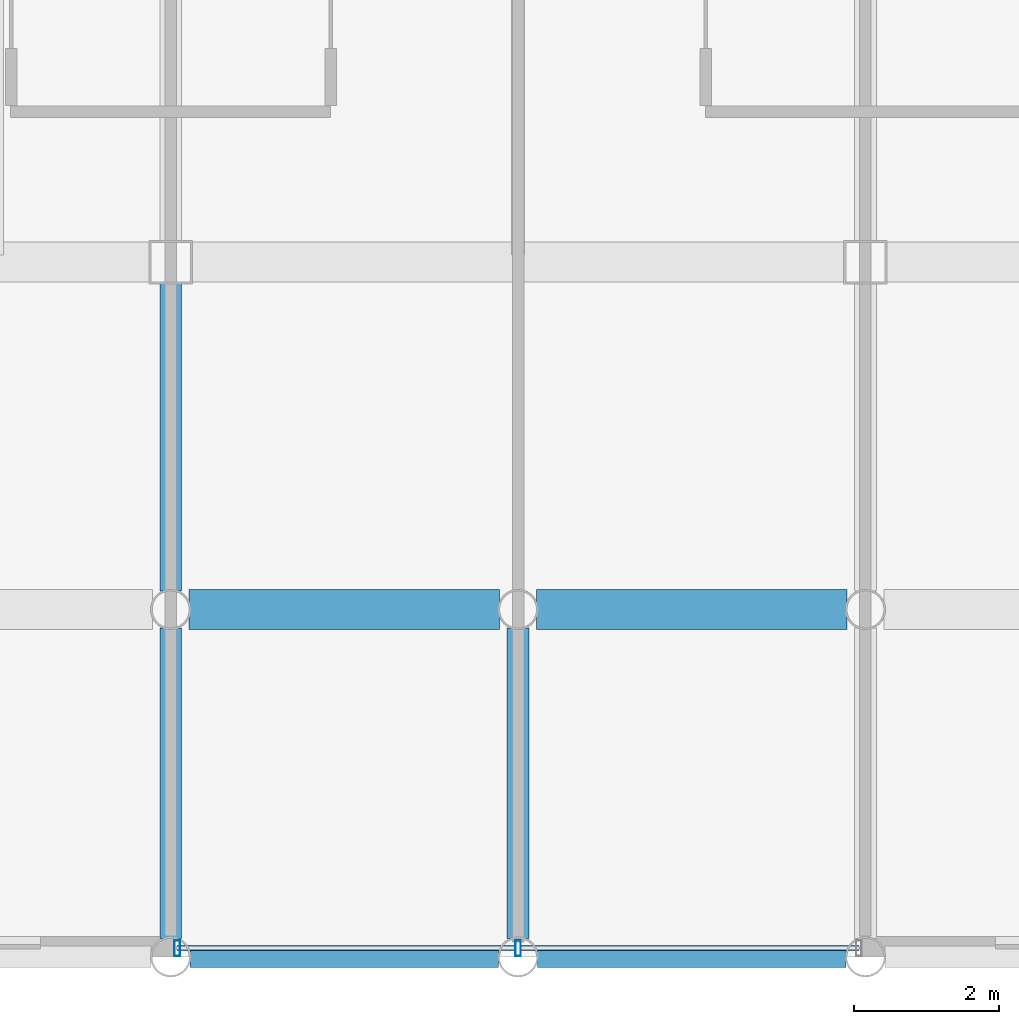
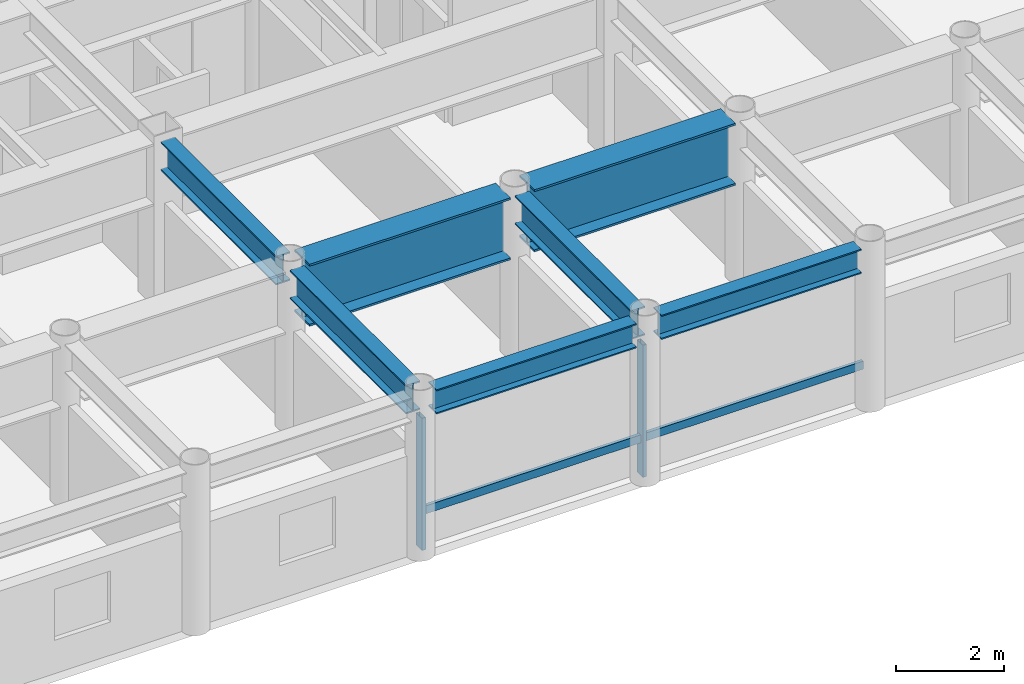
# One storey, part 4 of 22: 7 beams, 4 members, 1 element without a shape of its own.
"""IFC4 building model written with IfcOpenShell, lengths in metres."""

from ifc_helpers import new_model, si_unit, direction, frame, origin, origin_2d, place, context, subcontext, project, spatial, hollow_rectangle, i_section, extrude, material, layer, layer_set, material_profile, profile_set, type_object, element, aggregate, save


model = new_model("IFC4")

# Units and contexts
model_context = context("Model", 3, precision=1e-05, world=origin(), true_north=direction((0.0, 1.0)))
body_context = subcontext(model_context, "Body", "Model", "MODEL_VIEW")
ifc_project = project(units=[si_unit("LENGTHUNIT", "METRE"), si_unit("AREAUNIT", "SQUARE_METRE"), si_unit("VOLUMEUNIT", "CUBIC_METRE"), si_unit("PLANEANGLEUNIT", "RADIAN"), si_unit("MASSUNIT", "GRAM", prefix="KILO")], contexts=[model_context])

# Site, building, storey
site_placement = place(None, origin())
site = spatial("IfcSite", under=ifc_project, at=site_placement, CompositionType="ELEMENT")
building_placement = place(site_placement, origin())
building = spatial("IfcBuilding", under=site, at=building_placement, Name="Kallvorn Hotel Tower", CompositionType="ELEMENT")
storey_placement = place(building_placement, frame((0.0, 0.0, 191.5)))
storey = spatial("IfcBuildingStorey", under=building, at=storey_placement, Name="L47", CompositionType="ELEMENT", Elevation=191.5)

# Beams
ifc_material_1 = material(Name="Structural steel S355JR", Category="steel")
ifc_material_profile_1 = material_profile(ifc_material_1, i_section(OverallWidth=0.300048828125, OverallDepth=0.550048828125, WebThickness=0.014892578125, FlangeThickness=0.029052734375, at=origin_2d()), Name="HE 550 B")
ifc_profile_set_1 = profile_set([ifc_material_profile_1], Name="Structural steel S355JR")
beam_type_1 = type_object("IfcBeamType", Name="BM_HE550B", PredefinedType="SPANDREL", material=ifc_profile_set_1)
for number, where, z_axis, x_axis, name in (
    (1, (-4.530517578125, -24.0, 3.39501953125), (1.0, 0.0, 0.0), (0.0, 1.0, 0.0), "L48 Perimeter Spandrel 155"),
    (2, (0.26953125, -24.0, 3.39501953125), (1.0, 0.0, 0.0), (0.0, 1.0, 0.0), "L48 Perimeter Spandrel 156"),
):
    element("IfcBeam", number, at=place(storey_placement, frame(where, z_axis=z_axis, x_axis=x_axis)), inside=storey, type_object=beam_type_1, Name=name, PredefinedType="SPANDREL", context=body_context, shape_type="SweptSolid", body=[
        extrude(i_section(OverallWidth=0.300048828125, OverallDepth=0.550048828125, WebThickness=0.014892578125, FlangeThickness=0.029052734375, at=origin_2d()), origin(), (0.0, 0.0, 1.0), 4.260986328125),
    ])
ifc_material_2 = material(Name="Structural steel S355JR", Category="steel")
ifc_material_profile_2 = material_profile(ifc_material_2, i_section(OverallWidth=0.300048828125, OverallDepth=0.64990234375, WebThickness=0.01611328125, FlangeThickness=0.031005859375, at=origin_2d()), Name="HE 650 B")
ifc_profile_set_2 = profile_set([ifc_material_profile_2], Name="Structural steel S355JR")
beam_type_2 = type_object("IfcBeamType", Name="BM_HE650B", PredefinedType="BEAM", material=ifc_profile_set_2)
beam_1_placement = place(storey_placement, frame((-4.800048828125, -23.74560546875, 3.344970703125), z_axis=(0.0, 1.0, 0.0), x_axis=(-1.0, 0.0, 0.0)))
element("IfcBeam", 3, at=beam_1_placement, inside=storey, type_object=beam_type_2, Name="L48 Primary Y-Girder 105", PredefinedType="BEAM", context=body_context, shape_type="SweptSolid", body=[
    extrude(i_section(OverallWidth=0.300048828125, OverallDepth=0.64990234375, WebThickness=0.01611328125, FlangeThickness=0.031005859375, at=origin_2d()), origin(), (0.0, 0.0, 1.0), 4.291015625),
])
beam_2_placement = place(storey_placement, frame((-4.800048828125, -18.945556640625, 3.344970703125), z_axis=(0.0, 1.0, 0.0), x_axis=(-1.0, 0.0, 0.0)))
element("IfcBeam", 4, at=beam_2_placement, inside=storey, type_object=beam_type_2, Name="L48 Primary Y-Girder 106", PredefinedType="BEAM", context=body_context, shape_type="SweptSolid", body=[
    extrude(i_section(OverallWidth=0.300048828125, OverallDepth=0.64990234375, WebThickness=0.01611328125, FlangeThickness=0.031005859375, at=origin_2d()), origin(), (0.0, 0.0, 1.0), 4.2705078125),
])
beam_3_placement = place(storey_placement, frame((0.0, -23.74560546875, 3.344970703125), z_axis=(0.0, 1.0, 0.0), x_axis=(-1.0, 0.0, 0.0)))
element("IfcBeam", 5, at=beam_3_placement, inside=storey, type_object=beam_type_2, Name="L48 Primary Y-Girder 110", PredefinedType="BEAM", context=body_context, shape_type="SweptSolid", body=[
    extrude(i_section(OverallWidth=0.300048828125, OverallDepth=0.64990234375, WebThickness=0.01611328125, FlangeThickness=0.031005859375, at=origin_2d()), origin(), (0.0, 0.0, 1.0), 4.291015625),
])
ifc_material_3 = material(Name="Structural steel S355JR", Category="steel")
ifc_material_profile_3 = material_profile(ifc_material_3, i_section(OverallWidth=0.550048828125, OverallDepth=1.39990234375, WebThickness=0.02490234375, FlangeThickness=0.044921875, at=origin_2d()), Name="PG 1400x550x25x45")
ifc_profile_set_3 = profile_set([ifc_material_profile_3], Name="Structural steel S355JR")
beam_type_3 = type_object("IfcBeamType", Name="BM_PG_1400", PredefinedType="BEAM", material=ifc_profile_set_3)
for number, where, z_axis, x_axis, name in (
    (6, (-4.54541015625, -19.199951171875, 2.969970703125), (1.0, 0.0, 0.0), (0.0, 1.0, 0.0), "L48 Primary X-Girder 06"),
    (7, (0.25439453125, -19.199951171875, 2.969970703125), (1.0, 0.0, 0.0), (0.0, 1.0, 0.0), "L48 Primary X-Girder 07"),
):
    element("IfcBeam", number, at=place(storey_placement, frame(where, z_axis=z_axis, x_axis=x_axis)), inside=storey, type_object=beam_type_3, Name=name, PredefinedType="BEAM", context=body_context, shape_type="SweptSolid", body=[
        extrude(i_section(OverallWidth=0.550048828125, OverallDepth=1.39990234375, WebThickness=0.02490234375, FlangeThickness=0.044921875, at=origin_2d()), origin(), (0.0, 0.0, 1.0), 4.291015625),
    ])

# Curtain wall, members
ifc_material_4 = material(Name="Thermally broken black-anodised aluminium AA 6063-T6", Category="aluminium")
ifc_layer = layer(ifc_material_4, 0.22998046875)
ifc_layer_set = layer_set([ifc_layer], Name="CW_SYS_5_HOTEL_HIGH")
curtain_wall_type = type_object("IfcCurtainWallType", Name="CW_SYS_5_HOTEL_HIGH", PredefinedType="USERDEFINED", material=ifc_layer_set)
curtain_wall_placement = place(storey_placement, origin())
curtain_wall = element("IfcCurtainWall", 8, at=curtain_wall_placement, inside=storey, type_object=curtain_wall_type, Name="L47 Dark-Glass Curtain Wall CW-L47-SC", ObjectType="UNITISED CURTAIN WALL", PredefinedType="USERDEFINED")
ifc_material_5 = material(Name="Thermally broken black-anodised aluminium AA 6063-T6", Category="aluminium")
ifc_material_profile_4 = material_profile(ifc_material_5, hollow_rectangle(XDim=0.080078125, YDim=0.219970703125, WallThickness=0.0048828125, at=origin_2d()), Name="MUL 220x80")
ifc_profile_set_4 = profile_set([ifc_material_profile_4], Name="Thermally broken black-anodised aluminium AA 6063-T6")
member_type_1 = type_object("IfcMemberType", Name="CW_MULLION_220x80", PredefinedType="MULLION", material=ifc_profile_set_4)
member_1_placement = place(storey_placement, frame((-4.7099609375, -23.8798828125, 0.02001953125), z_axis=(0.0, 0.0, 1.0), x_axis=(1.0, 0.0, 0.0)))
member_1 = element("IfcMember", 9, at=member_1_placement, type_object=member_type_1, Name="CW-L47-SC Mullion 00", PredefinedType="MULLION", context=body_context, shape_type="SweptSolid", body=[
    extrude(hollow_rectangle(XDim=0.080078125, YDim=0.219970703125, WallThickness=0.0048828125, at=origin_2d()), origin(), (0.0, 0.0, 1.0), 2.97998046875),
])
member_2_placement = place(storey_placement, frame((0.0, -23.8798828125, 0.02001953125), z_axis=(0.0, 0.0, 1.0), x_axis=(1.0, 0.0, 0.0)))
member_2 = element("IfcMember", 10, at=member_2_placement, type_object=member_type_1, Name="CW-L47-SC Mullion 01", PredefinedType="MULLION", context=body_context, shape_type="SweptSolid", body=[
    extrude(hollow_rectangle(XDim=0.080078125, YDim=0.219970703125, WallThickness=0.0048828125, at=origin_2d()), origin(), (0.0, 0.0, 1.0), 2.97998046875),
])
ifc_material_6 = material(Name="Thermally broken black-anodised aluminium AA 6063-T6", Category="aluminium")
ifc_material_profile_5 = material_profile(ifc_material_6, hollow_rectangle(XDim=0.070068359375, YDim=0.179931640625, WallThickness=0.00390625, at=origin_2d()), Name="TRN 180x70")
ifc_profile_set_5 = profile_set([ifc_material_profile_5], Name="Thermally broken black-anodised aluminium AA 6063-T6")
member_type_2 = type_object("IfcMemberType", Name="CW_TRANSOM_180x70", PredefinedType="USERDEFINED", material=ifc_profile_set_5)
member_3_placement = place(storey_placement, frame((-4.7099609375, -23.8798828125, 0.85009765625), z_axis=(1.0, 0.0, 0.0), x_axis=(0.0, 1.0, 0.0)))
member_3 = element("IfcMember", 11, at=member_3_placement, type_object=member_type_2, Name="CW-L47-SC Transom 00M", ObjectType="TRANSOM", PredefinedType="USERDEFINED", context=body_context, shape_type="SweptSolid", body=[
    extrude(hollow_rectangle(XDim=0.070068359375, YDim=0.179931640625, WallThickness=0.00390625, at=origin_2d()), origin(), (0.0, 0.0, 1.0), 4.669921875),
])
member_4_placement = place(storey_placement, frame((0.0400390625, -23.8798828125, 0.85009765625), z_axis=(1.0, 0.0, 0.0), x_axis=(0.0, 1.0, 0.0)))
member_4 = element("IfcMember", 12, at=member_4_placement, type_object=member_type_2, Name="CW-L47-SC Transom 01M", ObjectType="TRANSOM", PredefinedType="USERDEFINED", context=body_context, shape_type="SweptSolid", body=[
    extrude(hollow_rectangle(XDim=0.070068359375, YDim=0.179931640625, WallThickness=0.00390625, at=origin_2d()), origin(), (0.0, 0.0, 1.0), 4.669921875),
])
aggregate(curtain_wall, [member_1, member_2, member_3, member_4])

save(model, "model.ifc")
